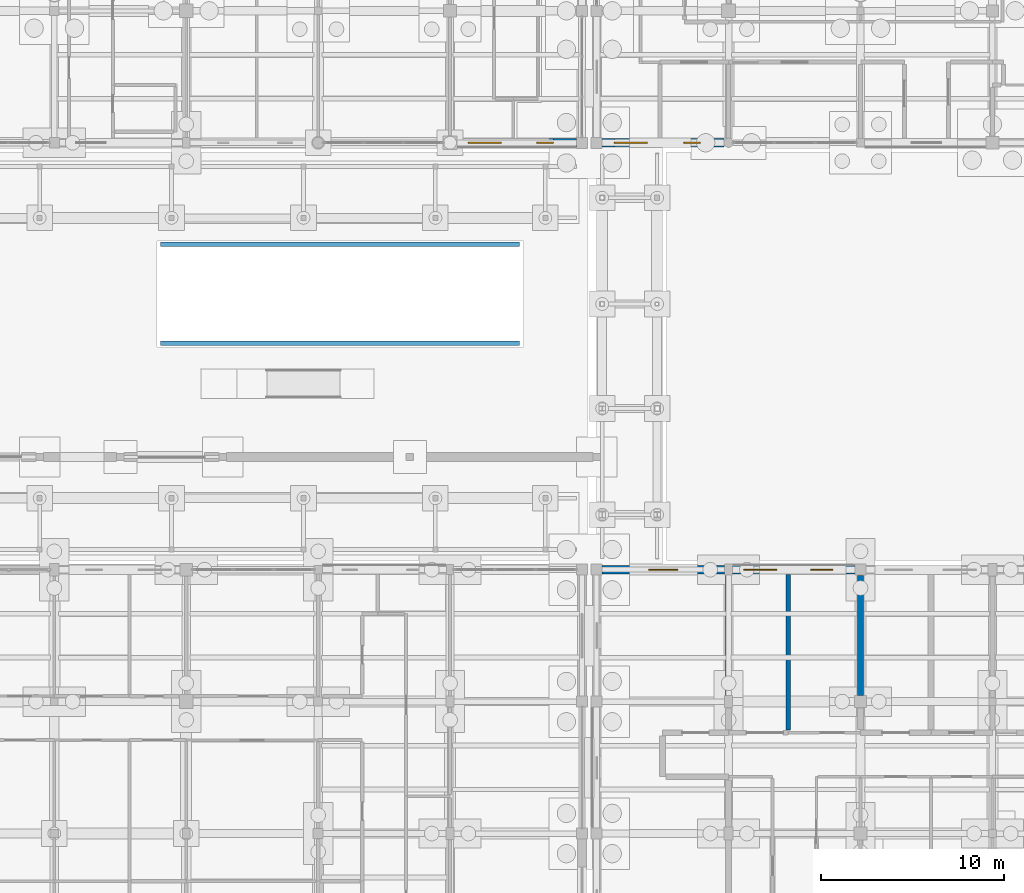
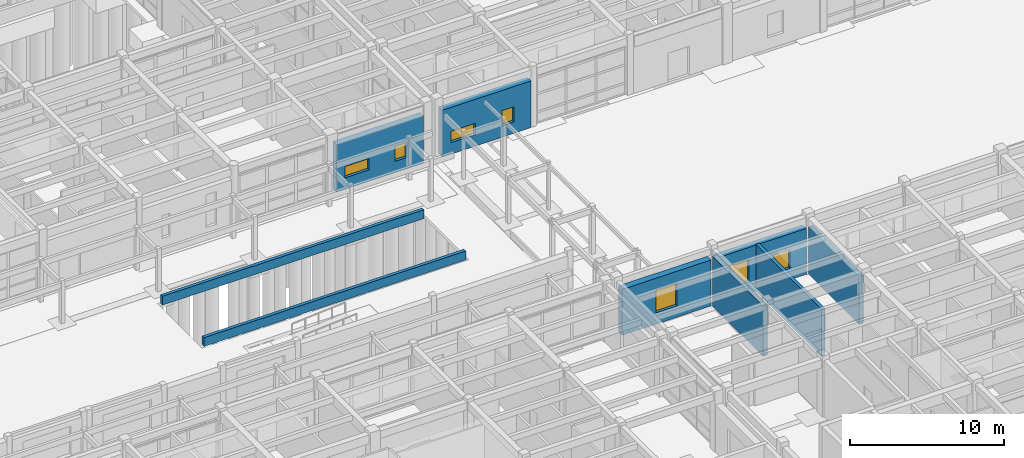
# One storey, part 104 of 143: 9 walls, 7 windows, 7 openings.
"""IFC4 building model written with IfcOpenShell, lengths in metres."""

from ifc_helpers import new_model, si_unit, direction, frame, frame_2d, origin, place, context, subcontext, project, spatial, rectangle, extrude, material, layer, layer_set, type_object, element, fill, save


model = new_model("IFC4")

# Units and contexts
model_context = context("Model", 3, precision=1e-05, world=origin(), true_north=direction((0.0, 1.0)))
body_context = subcontext(model_context, "Body", "Model", "MODEL_VIEW")
ifc_project = project(units=[si_unit("LENGTHUNIT", "METRE"), si_unit("AREAUNIT", "SQUARE_METRE"), si_unit("VOLUMEUNIT", "CUBIC_METRE"), si_unit("PLANEANGLEUNIT", "RADIAN"), si_unit("MASSUNIT", "GRAM", prefix="KILO")], contexts=[model_context])

# Site, building, storey
site_placement = place(None, origin())
site = spatial("IfcSite", under=ifc_project, at=site_placement, CompositionType="ELEMENT")
building_placement = place(site_placement, origin())
building = spatial("IfcBuilding", under=site, at=building_placement, Name="Steenspoor Specialist Clinic", CompositionType="ELEMENT")
storey_placement = place(building_placement, origin())
storey = spatial("IfcBuildingStorey", under=building, at=storey_placement, Name="L00", CompositionType="ELEMENT", Elevation=0.0)

# Wall, opening, window
ifc_material_1 = material(Name="Volcanic basalt ashlar masonry", Category="masonry")
ifc_layer_1 = layer(ifc_material_1, 0.47998046875)
ifc_layer_set_1 = layer_set([ifc_layer_1], Name="Volcanic basalt ashlar masonry")
wall_type_1 = type_object("IfcWallType", Name="W-BASALT-480", PredefinedType="SOLIDWALL", material=ifc_layer_set_1)
wall_1_placement = place(storey_placement, frame((118.300048828125, 41.85009765625, 0.0), z_axis=(0.0, 0.0, 1.0), x_axis=(1.0, 0.0, 0.0)))
wall_1 = element("IfcWall", 1, at=wall_1_placement, inside=storey, type_object=wall_type_1, Name="Exterior Brick Wall EW-V2-L00-0047", PredefinedType="SOLIDWALL", context=body_context, shape_type="SweptSolid", body=[
    extrude(rectangle(XDim=6.675048828125, YDim=0.47998046875, at=frame_2d((3.33740234375, 0.0))), origin(), (0.0, 0.0, 1.0), 3.639892578125),
])
opening_1_placement = place(wall_1_placement, frame((2.53759765625, 0.0, 0.89990234375)))
opening_1 = element("IfcOpeningElement", 2, at=opening_1_placement, cuts=wall_1, Name="Opening WN-07", PredefinedType="OPENING", context=body_context, shape_type="SweptSolid", body=[
    extrude(rectangle(XDim=1.60009765625, YDim=1.800048828125, at=frame_2d((0.800048828125, 0.89990234375))), frame((0.0, 0.25, 0.0), z_axis=(0.0, -1.0, 0.0), x_axis=(1.0, 0.0, 0.0)), (0.0, 0.0, 1.0), 0.5),
])
ifc_material_2 = material(Name="Thermally broken aluminium and low-emissivity glass", Category="aluminium")
window_type_1 = type_object("IfcWindowType", Name="WN-EXT-160X180", PartitioningType="SINGLE_PANEL", PredefinedType="WINDOW", material=ifc_material_2)
window_1_placement = place(opening_1_placement, origin())
window_1 = element("IfcWindow", 3, at=window_1_placement, inside=storey, type_object=window_type_1, Name="Window 0055", OverallHeight=1.800048828125, OverallWidth=1.60009765625, PartitioningType="SINGLE_PANEL", PredefinedType="WINDOW", context=body_context, shape_type="SweptSolid", body=[
    extrude(rectangle(XDim=1.60009765625, YDim=1.800048828125, at=frame_2d((0.800048828125, 0.89990234375))), frame((0.0, 0.030029296875, 0.0), z_axis=(0.0, -1.0, 0.0), x_axis=(1.0, 0.0, 0.0)), (0.0, 0.0, 1.0), 0.06005859375),
])
fill(opening_1, window_1)

# Wall, openings, windows
wall_2_placement = place(storey_placement, frame((125.425048828125, 41.85009765625, 0.0), z_axis=(0.0, 0.0, 1.0), x_axis=(1.0, 0.0, 0.0)))
wall_2 = element("IfcWall", 4, at=wall_2_placement, inside=storey, type_object=wall_type_1, Name="Exterior Brick Wall EW-V2-L00-0048", PredefinedType="SOLIDWALL", context=body_context, shape_type="SweptSolid", body=[
    extrude(rectangle(XDim=6.675048828125, YDim=0.47998046875, at=frame_2d((3.33740234375, 0.0))), origin(), (0.0, 0.0, 1.0), 3.639892578125),
])
opening_2_placement = place(wall_2_placement, frame((0.6025390625, 0.0, 0.89990234375)))
opening_2 = element("IfcOpeningElement", 5, at=opening_2_placement, cuts=wall_2, Name="Opening WN-08", PredefinedType="OPENING", context=body_context, shape_type="SweptSolid", body=[
    extrude(rectangle(XDim=1.800048828125, YDim=1.800048828125, at=frame_2d((0.89990234375, 0.89990234375))), frame((0.0, 0.25, 0.0), z_axis=(0.0, -1.0, 0.0), x_axis=(1.0, 0.0, 0.0)), (0.0, 0.0, 1.0), 0.5),
])
opening_3_placement = place(wall_2_placement, frame((4.260009765625, 0.0, 0.89990234375)))
opening_3 = element("IfcOpeningElement", 6, at=opening_3_placement, cuts=wall_2, Name="Opening WN-11", PredefinedType="OPENING", context=body_context, shape_type="SweptSolid", body=[
    extrude(rectangle(XDim=1.199951171875, YDim=1.5, at=frame_2d((0.60009765625, 0.75))), frame((0.0, 0.25, 0.0), z_axis=(0.0, -1.0, 0.0), x_axis=(1.0, 0.0, 0.0)), (0.0, 0.0, 1.0), 0.5),
])
window_type_2 = type_object("IfcWindowType", Name="WN-EXT-120X150", PartitioningType="SINGLE_PANEL", PredefinedType="WINDOW", material=ifc_material_2)
window_2_placement = place(opening_3_placement, origin())
window_2 = element("IfcWindow", 7, at=window_2_placement, inside=storey, type_object=window_type_2, Name="Window 0057", OverallHeight=1.5, OverallWidth=1.199951171875, PartitioningType="SINGLE_PANEL", PredefinedType="WINDOW", context=body_context, shape_type="SweptSolid", body=[
    extrude(rectangle(XDim=1.199951171875, YDim=1.5, at=frame_2d((0.60009765625, 0.75))), frame((0.0, 0.030029296875, 0.0), z_axis=(0.0, -1.0, 0.0), x_axis=(1.0, 0.0, 0.0)), (0.0, 0.0, 1.0), 0.06005859375),
])
fill(opening_3, window_2)
window_type_3 = type_object("IfcWindowType", Name="WN-EXT-180X180", PartitioningType="SINGLE_PANEL", PredefinedType="WINDOW", material=ifc_material_2)
window_3_placement = place(opening_2_placement, origin())
window_3 = element("IfcWindow", 8, at=window_3_placement, inside=storey, type_object=window_type_3, Name="Window 0056", OverallHeight=1.800048828125, OverallWidth=1.800048828125, PartitioningType="SINGLE_PANEL", PredefinedType="WINDOW", context=body_context, shape_type="SweptSolid", body=[
    extrude(rectangle(XDim=1.800048828125, YDim=1.800048828125, at=frame_2d((0.89990234375, 0.89990234375))), frame((0.0, 0.030029296875, 0.0), z_axis=(0.0, -1.0, 0.0), x_axis=(1.0, 0.0, 0.0)), (0.0, 0.0, 1.0), 0.06005859375),
])
fill(opening_2, window_3)

wall_3_placement = place(storey_placement, frame((116.89990234375, 65.14990234375, 0.0), z_axis=(0.0, 0.0, 1.0), x_axis=(-1.0, 0.0, 0.0)))
wall_3 = element("IfcWall", 9, at=wall_3_placement, inside=storey, type_object=wall_type_1, Name="Exterior Brick Wall EW-V4-L00-0078", PredefinedType="SOLIDWALL", context=body_context, shape_type="SweptSolid", body=[
    extrude(rectangle(XDim=6.52490234375, YDim=0.47998046875, at=frame_2d((3.262451171875, 0.0))), origin(), (0.0, 0.0, 1.0), 3.72998046875),
])
opening_4_placement = place(wall_3_placement, frame((1.264892578125, 0.0, 0.89990234375)))
opening_4 = element("IfcOpeningElement", 10, at=opening_4_placement, cuts=wall_3, Name="Opening WN-21", PredefinedType="OPENING", context=body_context, shape_type="SweptSolid", body=[
    extrude(rectangle(XDim=0.89990234375, YDim=1.199951171875, at=frame_2d((0.449951171875, 0.60009765625))), frame((0.0, 0.25, 0.0), z_axis=(0.0, -1.0, 0.0), x_axis=(1.0, 0.0, 0.0)), (0.0, 0.0, 1.0), 0.5),
])
opening_5_placement = place(wall_3_placement, frame((4.097412109375, 0.0, 0.89990234375)))
opening_5 = element("IfcOpeningElement", 11, at=opening_5_placement, cuts=wall_3, Name="Opening WN-22", PredefinedType="OPENING", context=body_context, shape_type="SweptSolid", body=[
    extrude(rectangle(XDim=1.800048828125, YDim=0.89990234375, at=frame_2d((0.89990234375, 0.449951171875))), frame((0.0, 0.25, 0.0), z_axis=(0.0, -1.0, 0.0), x_axis=(1.0, 0.0, 0.0)), (0.0, 0.0, 1.0), 0.5),
])
window_type_4 = type_object("IfcWindowType", Name="WN-EXT-090X120", PartitioningType="SINGLE_PANEL", PredefinedType="WINDOW", material=ifc_material_2)
window_4_placement = place(opening_4_placement, origin())
window_4 = element("IfcWindow", 12, at=window_4_placement, inside=storey, type_object=window_type_4, Name="Window 0094", OverallHeight=1.199951171875, OverallWidth=0.89990234375, PartitioningType="SINGLE_PANEL", PredefinedType="WINDOW", context=body_context, shape_type="SweptSolid", body=[
    extrude(rectangle(XDim=0.89990234375, YDim=1.199951171875, at=frame_2d((0.449951171875, 0.60009765625))), frame((0.0, 0.030029296875, 0.0), z_axis=(0.0, -1.0, 0.0), x_axis=(1.0, 0.0, 0.0)), (0.0, 0.0, 1.0), 0.06005859375),
])
fill(opening_4, window_4)
window_type_5 = type_object("IfcWindowType", Name="WN-EXT-180X090", PartitioningType="SINGLE_PANEL", PredefinedType="WINDOW", material=ifc_material_2)
window_5_placement = place(opening_5_placement, origin())
window_5 = element("IfcWindow", 13, at=window_5_placement, inside=storey, type_object=window_type_5, Name="Window 0095", OverallHeight=0.89990234375, OverallWidth=1.800048828125, PartitioningType="SINGLE_PANEL", PredefinedType="WINDOW", context=body_context, shape_type="SweptSolid", body=[
    extrude(rectangle(XDim=1.800048828125, YDim=0.89990234375, at=frame_2d((0.89990234375, 0.449951171875))), frame((0.0, 0.030029296875, 0.0), z_axis=(0.0, -1.0, 0.0), x_axis=(1.0, 0.0, 0.0)), (0.0, 0.0, 1.0), 0.06005859375),
])
fill(opening_5, window_5)

wall_4_placement = place(storey_placement, frame((124.949951171875, 65.14990234375, 0.0), z_axis=(0.0, 0.0, 1.0), x_axis=(-1.0, 0.0, 0.0)))
wall_4 = element("IfcWall", 14, at=wall_4_placement, inside=storey, type_object=wall_type_1, Name="Exterior Brick Wall EW-V6-L00-0298", PredefinedType="SOLIDWALL", context=body_context, shape_type="SweptSolid", body=[
    extrude(rectangle(XDim=6.64990234375, YDim=0.47998046875, at=frame_2d((3.324951171875, 0.0))), origin(), (0.0, 0.0, 1.0), 3.699951171875),
])
opening_6_placement = place(wall_4_placement, frame((1.2900390625, 0.0, 0.89990234375)))
opening_6 = element("IfcOpeningElement", 15, at=opening_6_placement, cuts=wall_4, Name="Opening WN-21", PredefinedType="OPENING", context=body_context, shape_type="SweptSolid", body=[
    extrude(rectangle(XDim=0.89990234375, YDim=1.199951171875, at=frame_2d((0.449951171875, 0.60009765625))), frame((0.0, 0.25, 0.0), z_axis=(0.0, -1.0, 0.0), x_axis=(1.0, 0.0, 0.0)), (0.0, 0.0, 1.0), 0.5),
])
opening_7_placement = place(wall_4_placement, frame((4.18505859375, 0.0, 0.89990234375)))
opening_7 = element("IfcOpeningElement", 16, at=opening_7_placement, cuts=wall_4, Name="Opening WN-22", PredefinedType="OPENING", context=body_context, shape_type="SweptSolid", body=[
    extrude(rectangle(XDim=1.800048828125, YDim=0.89990234375, at=frame_2d((0.89990234375, 0.449951171875))), frame((0.0, 0.25, 0.0), z_axis=(0.0, -1.0, 0.0), x_axis=(1.0, 0.0, 0.0)), (0.0, 0.0, 1.0), 0.5),
])
window_6_placement = place(opening_6_placement, origin())
window_6 = element("IfcWindow", 17, at=window_6_placement, inside=storey, type_object=window_type_4, Name="Window 0318", OverallHeight=1.199951171875, OverallWidth=0.89990234375, PartitioningType="SINGLE_PANEL", PredefinedType="WINDOW", context=body_context, shape_type="SweptSolid", body=[
    extrude(rectangle(XDim=0.89990234375, YDim=1.199951171875, at=frame_2d((0.449951171875, 0.60009765625))), frame((0.0, 0.030029296875, 0.0), z_axis=(0.0, -1.0, 0.0), x_axis=(1.0, 0.0, 0.0)), (0.0, 0.0, 1.0), 0.06005859375),
])
fill(opening_6, window_6)
window_7_placement = place(opening_7_placement, origin())
window_7 = element("IfcWindow", 18, at=window_7_placement, inside=storey, type_object=window_type_5, Name="Window 0319", OverallHeight=0.89990234375, OverallWidth=1.800048828125, PartitioningType="SINGLE_PANEL", PredefinedType="WINDOW", context=body_context, shape_type="SweptSolid", body=[
    extrude(rectangle(XDim=1.800048828125, YDim=0.89990234375, at=frame_2d((0.89990234375, 0.449951171875))), frame((0.0, 0.030029296875, 0.0), z_axis=(0.0, -1.0, 0.0), x_axis=(1.0, 0.0, 0.0)), (0.0, 0.0, 1.0), 0.06005859375),
])
fill(opening_7, window_7)

# Walls
ifc_material_3 = material(Name="Acoustic and RF shielded masonry partition", Category="masonry")
ifc_layer_2 = layer(ifc_material_3, 0.320068359375)
ifc_layer_set_2 = layer_set([ifc_layer_2], Name="Acoustic and RF shielded masonry partition")
wall_type_2 = type_object("IfcWallType", Name="W-MRI-320", PredefinedType="PARTITIONING", material=ifc_layer_set_2)
wall_5_placement = place(storey_placement, frame((125.199951171875, 34.989990234375, 0.0), z_axis=(0.0, 0.0, 1.0), x_axis=(0.0, 1.0, 0.0)))
element("IfcWall", 19, at=wall_5_placement, inside=storey, type_object=wall_type_2, Name="Interior Partition IW-V2-L00-0402", PredefinedType="PARTITIONING", context=body_context, shape_type="SweptSolid", body=[
    extrude(rectangle(XDim=6.544921875, YDim=0.320068359375, at=frame_2d((3.2724609375, 0.0))), origin(), (0.0, 0.0, 1.0), 3.965087890625),
])
wall_6_placement = place(storey_placement, frame((132.39990234375, 34.989990234375, 0.0), z_axis=(0.0, 0.0, 1.0), x_axis=(0.0, 1.0, 0.0)))
element("IfcWall", 20, at=wall_6_placement, inside=storey, type_object=wall_type_2, Name="Interior Partition IW-V2-L00-0406", PredefinedType="PARTITIONING", context=body_context, shape_type="SweptSolid", body=[
    extrude(rectangle(XDim=6.544921875, YDim=0.320068359375, at=frame_2d((3.2724609375, 0.0))), origin(), (0.0, 0.0, 1.0), 3.794921875),
])
ifc_material_4 = material(Name="Extruded clay brick masonry", Category="masonry")
ifc_layer_3 = layer(ifc_material_4, 0.239990234375)
ifc_layer_set_3 = layer_set([ifc_layer_3], Name="Extruded clay brick masonry")
wall_type_3 = type_object("IfcWallType", Name="W-PARAPET-240", PredefinedType="PARAPET", material=ifc_layer_set_3)
for number, where, z_axis, x_axis, name in (
    (21, (94.199951171875, 54.199951171875, 0.0), (0.0, 0.0, 1.0), (1.0, 0.0, 0.0), "Courtyard Planter Parapet PW-COURT-E1"),
    (22, (94.199951171875, 59.60009765625, 0.0), (0.0, 0.0, 1.0), (1.0, 0.0, 0.0), "Courtyard Planter Parapet PW-COURT-E2"),
):
    element("IfcWall", number, at=place(storey_placement, frame(where, z_axis=z_axis, x_axis=x_axis)), inside=storey, type_object=wall_type_3, Name=name, PredefinedType="PARAPET", context=body_context, shape_type="SweptSolid", body=[
        extrude(rectangle(XDim=19.60009765625, YDim=0.239990234375, at=frame_2d((9.800048828125, 0.0))), origin(), (0.0, 0.0, 1.0), 0.699951171875),
    ])
ifc_material_5 = material(Name="Fire-rated clay blockwork masonry", Category="masonry")
ifc_layer_4 = layer(ifc_material_5, 0.25)
ifc_layer_set_4 = layer_set([ifc_layer_4], Name="Fire-rated clay blockwork masonry")
wall_type_4 = type_object("IfcWallType", Name="W-SHAFT-250", PredefinedType="PARTITIONING", material=ifc_layer_set_4)
wall_7_placement = place(storey_placement, frame((128.449951171875, 33.090087890625, 0.0), z_axis=(0.0, 0.0, 1.0), x_axis=(0.0, 1.0, 0.0)))
element("IfcWall", 23, at=wall_7_placement, inside=storey, type_object=wall_type_4, Name="Interior Partition IW-V2-L00-0413", PredefinedType="PARTITIONING", context=body_context, shape_type="SweptSolid", body=[
    extrude(rectangle(XDim=8.5048828125, YDim=0.25, at=frame_2d((4.25244140625, 0.0))), origin(), (0.0, 0.0, 1.0), 3.72509765625),
])

save(model, "model.ifc")
